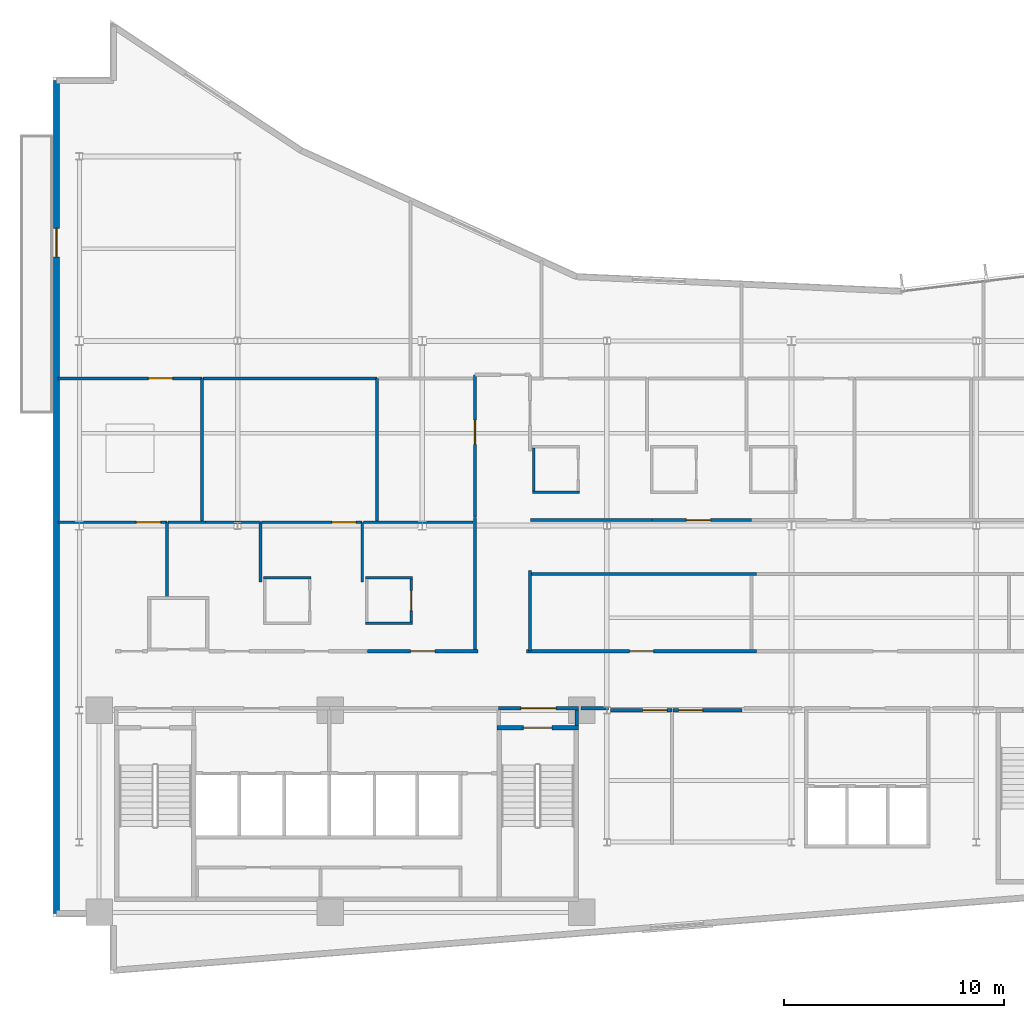
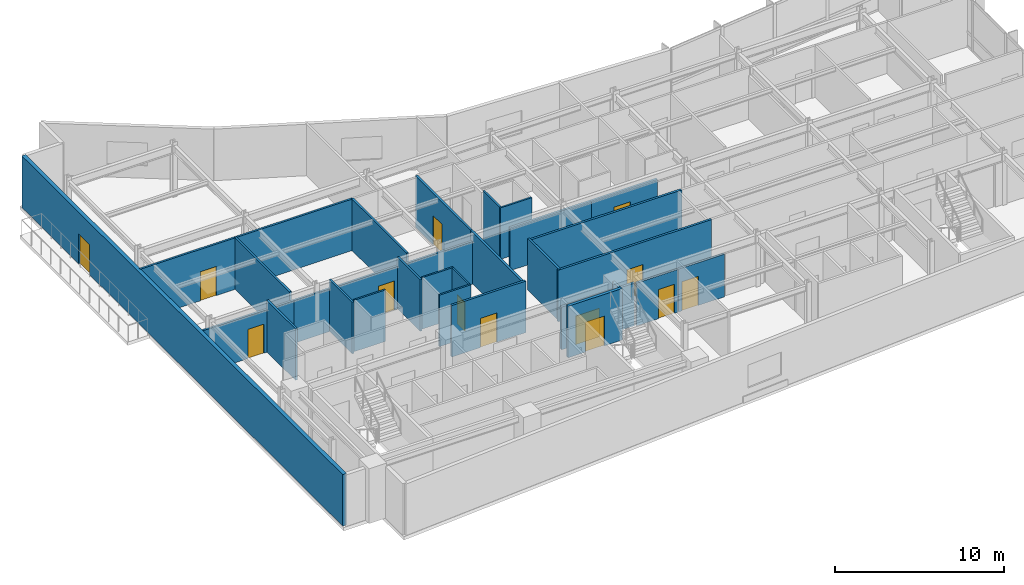
# One storey, part 11 of 19: 33 walls, 13 doors, 13 openings.
"""IFC4 building model written with IfcOpenShell, lengths in metres."""

from ifc_helpers import new_model, si_unit, direction, frame, frame_2d, origin, place, context, subcontext, project, spatial, rectangle, extrude, material, layer, layer_set, type_object, element, fill, save


model = new_model("IFC4")

# Units and contexts
model_context = context("Model", 3, precision=1e-05, world=origin(), true_north=direction((0.0, 1.0)))
body_context = subcontext(model_context, "Body", "Model", "MODEL_VIEW")
ifc_project = project(units=[si_unit("LENGTHUNIT", "METRE"), si_unit("AREAUNIT", "SQUARE_METRE"), si_unit("VOLUMEUNIT", "CUBIC_METRE"), si_unit("PLANEANGLEUNIT", "RADIAN"), si_unit("MASSUNIT", "GRAM", prefix="KILO")], contexts=[model_context])

# Site, building, storey
site_placement = place(None, origin())
site = spatial("IfcSite", under=ifc_project, at=site_placement, CompositionType="ELEMENT")
building_placement = place(site_placement, origin())
building = spatial("IfcBuilding", under=site, at=building_placement, Name="Varnakote Quay Hospital", CompositionType="ELEMENT")
storey_placement = place(building_placement, frame((0.0, 0.0, 162.60009765625)))
storey = spatial("IfcBuildingStorey", under=building, at=storey_placement, Name="L40", CompositionType="ELEMENT", Elevation=162.60009765625)

# Wall, opening, door
ifc_material_1 = material(Name="Fire-rated acoustic gypsum stud wall", Category="gypsum")
ifc_layer_1 = layer(ifc_material_1, 0.159912109375)
ifc_layer_set_1 = layer_set([ifc_layer_1], Name="Fire-rated acoustic gypsum stud wall")
wall_type_1 = type_object("IfcWallType", Name="WL-COMP-160", PredefinedType="PARTITIONING", material=ifc_layer_set_1)
wall_1_placement = place(storey_placement, frame((20.280029296875, 12.080078125, 0.0), z_axis=(0.0, 0.0, 1.0), x_axis=(1.0, 0.0, 0.0)))
wall_1 = element("IfcWall", 1, at=wall_1_placement, inside=storey, type_object=wall_type_1, Name="L40 East Stair Vestibule Smoke Wall", PredefinedType="PARTITIONING", context=body_context, shape_type="SweptSolid", body=[
    extrude(rectangle(XDim=3.619873046875, YDim=0.159912109375, at=frame_2d((1.81005859375, 0.0))), origin(), (0.0, 0.0, 1.0), 3.0830078125),
])
opening_1_placement = place(wall_1_placement, frame((1.010009765625, 0.0, 0.0)))
opening_1 = element("IfcOpeningElement", 2, at=opening_1_placement, cuts=wall_1, Name="Opening D-ST2L-L40", PredefinedType="OPENING", context=body_context, shape_type="SweptSolid", body=[
    extrude(rectangle(XDim=1.60009765625, YDim=2.050048828125, at=frame_2d((0.800048828125, 1.02490234375))), frame((0.0, 0.08984375, 0.0), z_axis=(0.0, -1.0, 0.0), x_axis=(1.0, 0.0, 0.0)), (0.0, 0.0, 1.0), 0.179931640625),
])
ifc_material_2 = material(Name="Fire-rated double smoke lobby door")
door_type_1 = type_object("IfcDoorType", Name="DR-LOBBY-FD60S-1600x2150", OperationType="NOTDEFINED", PredefinedType="DOOR", material=ifc_material_2)
door_1_placement = place(opening_1_placement, origin())
door_1 = element("IfcDoor", 3, at=door_1_placement, inside=storey, type_object=door_type_1, Name="L40 East Stair Vestibule Smoke Door", OperationType="DOUBLE_DOOR_SINGLE_SWING", OverallHeight=2.050048828125, OverallWidth=1.60009765625, PredefinedType="DOOR", context=body_context, shape_type="SweptSolid", body=[
    extrude(rectangle(XDim=1.60009765625, YDim=2.050048828125, at=frame_2d((0.800048828125, 1.02490234375))), frame((0.0, 0.02490234375, 0.0), z_axis=(0.0, -1.0, 0.0), x_axis=(1.0, 0.0, 0.0)), (0.0, 0.0, 1.0), 0.050048828125),
])
fill(opening_1, door_1)

# Walls
wall_2_placement = place(storey_placement, frame((23.820068359375, 11.300048828125, 0.0), z_axis=(0.0, 0.0, 1.0), x_axis=(0.0, 1.0, 0.0)))
element("IfcWall", 4, at=wall_2_placement, inside=storey, type_object=wall_type_1, Name="L40 East Stair Vestibule East Wall", PredefinedType="PARTITIONING", context=body_context, shape_type="SweptSolid", body=[
    extrude(rectangle(XDim=0.699951171875, YDim=0.159912109375, at=frame_2d((0.35009765625, 0.0))), origin(), (0.0, 0.0, 1.0), 3.7099609375),
])
wall_3_placement = place(storey_placement, frame((24.02001953125, 12.080078125, 0.0), z_axis=(0.0, 0.0, 1.0), x_axis=(1.0, 0.0, 0.0)))
element("IfcWall", 5, at=wall_3_placement, inside=storey, type_object=wall_type_1, Name="L40 Corridor South Gap Wall", PredefinedType="PARTITIONING", context=body_context, shape_type="SweptSolid", body=[
    extrude(rectangle(XDim=1.244140625, YDim=0.159912109375, at=frame_2d((0.6220703125, 0.0))), origin(), (0.0, 0.0, 1.0), 3.0830078125),
])
ifc_material_3 = material(Name="Moisture-resistant bathroom partition", Category="gypsum")
ifc_layer_2 = layer(ifc_material_3, 0.114990234375)
ifc_layer_set_2 = layer_set([ifc_layer_2], Name="Moisture-resistant bathroom partition")
wall_type_2 = type_object("IfcWallType", Name="WL-ENS-115", PredefinedType="PARTITIONING", material=ifc_layer_set_2)
wall_4_placement = place(storey_placement, frame((9.5849609375, 18.017578125, 0.0), z_axis=(0.0, 0.0, 1.0), x_axis=(1.0, 0.0, 0.0)))
element("IfcWall", 6, at=wall_4_placement, inside=storey, type_object=wall_type_2, Name="L40 Inpatient En-Suite Bathroom 01 N Wall", PredefinedType="PARTITIONING", context=body_context, shape_type="SweptSolid", body=[
    extrude(rectangle(XDim=2.150146484375, YDim=0.114990234375, at=frame_2d((1.0751953125, 0.0))), origin(), (0.0, 0.0, 1.0), 3.7099609375),
])
for number, where, z_axis, x_axis, name in (
    (7, (14.215087890625, 15.952392578125, 0.0), (0.0, 0.0, 1.0), (1.0, 0.0, 0.0), "L40 Inpatient En-Suite Bathroom 02 S Wall"),
    (8, (14.215087890625, 18.017578125, 0.0), (0.0, 0.0, 1.0), (1.0, 0.0, 0.0), "L40 Inpatient En-Suite Bathroom 02 N Wall"),
):
    element("IfcWall", number, at=place(storey_placement, frame(where, z_axis=z_axis, x_axis=x_axis)), inside=storey, type_object=wall_type_2, Name=name, PredefinedType="PARTITIONING", context=body_context, shape_type="SweptSolid", body=[
        extrude(rectangle(XDim=2.14990234375, YDim=0.114990234375, at=frame_2d((1.074951171875, 0.0))), origin(), (0.0, 0.0, 1.0), 3.7099609375),
    ])

# Wall, opening, door
wall_5_placement = place(storey_placement, frame((16.3076171875, 16.010009765625, 0.0), z_axis=(0.0, 0.0, 1.0), x_axis=(0.0, 1.0, 0.0)))
wall_5 = element("IfcWall", 9, at=wall_5_placement, inside=storey, type_object=wall_type_2, Name="L40 Inpatient En-Suite Bathroom 02 E Wall", PredefinedType="PARTITIONING", context=body_context, shape_type="SweptSolid", body=[
    extrude(rectangle(XDim=1.949951171875, YDim=0.114990234375, at=frame_2d((0.97509765625, 0.0))), origin(), (0.0, 0.0, 1.0), 3.7099609375),
])
opening_2_placement = place(wall_5_placement, frame((0.514892578125, 0.0, 0.0)))
opening_2 = element("IfcOpeningElement", 10, at=opening_2_placement, cuts=wall_5, Name="Opening D-L40-ENS02", PredefinedType="OPENING", context=body_context, shape_type="SweptSolid", body=[
    extrude(rectangle(XDim=0.919921875, YDim=2.10009765625, at=frame_2d((0.4599609375, 1.050048828125))), frame((0.0, 0.0673828125, 0.0), z_axis=(0.0, -1.0, 0.0), x_axis=(1.0, 0.0, 0.0)), (0.0, 0.0, 1.0), 0.135009765625),
])
ifc_material_4 = material(Name="Moisture-sealed en-suite bathroom door")
door_type_2 = type_object("IfcDoorType", Name="DR-ENS-920x2100", OperationType="NOTDEFINED", PredefinedType="DOOR", material=ifc_material_4)
door_2_placement = place(opening_2_placement, origin())
door_2 = element("IfcDoor", 11, at=door_2_placement, inside=storey, type_object=door_type_2, Name="L40 Inpatient En-Suite Bathroom 02 Door", OperationType="SINGLE_SWING_RIGHT", OverallHeight=2.10009765625, OverallWidth=0.919921875, PredefinedType="DOOR", context=body_context, shape_type="SweptSolid", body=[
    extrude(rectangle(XDim=0.919921875, YDim=2.10009765625, at=frame_2d((0.4599609375, 1.050048828125))), frame((0.0, 0.02490234375, 0.0), z_axis=(0.0, -1.0, 0.0), x_axis=(1.0, 0.0, 0.0)), (0.0, 0.0, 1.0), 0.050048828125),
])
fill(opening_2, door_2)

# Walls
wall_6_placement = place(storey_placement, frame((21.804931640625, 21.922607421875, 0.0), z_axis=(0.0, 0.0, 1.0), x_axis=(1.0, 0.0, 0.0)))
element("IfcWall", 12, at=wall_6_placement, inside=storey, type_object=wall_type_2, Name="L40 Inpatient En-Suite Bathroom 03 S Wall", PredefinedType="PARTITIONING", context=body_context, shape_type="SweptSolid", body=[
    extrude(rectangle(XDim=2.150146484375, YDim=0.114990234375, at=frame_2d((1.0751953125, 0.0))), origin(), (0.0, 0.0, 1.0), 3.7099609375),
])
wall_7_placement = place(storey_placement, frame((21.862548828125, 21.97998046875, 0.0), z_axis=(0.0, 0.0, 1.0), x_axis=(0.0, 1.0, 0.0)))
element("IfcWall", 13, at=wall_7_placement, inside=storey, type_object=wall_type_2, Name="L40 Inpatient En-Suite Bathroom 03 W Wall", PredefinedType="PARTITIONING", context=body_context, shape_type="SweptSolid", body=[
    extrude(rectangle(XDim=1.949951171875, YDim=0.114990234375, at=frame_2d((0.97509765625, 0.0))), origin(), (0.0, 0.0, 1.0), 3.7099609375),
])

# Wall, opening, door
ifc_material_5 = material(Name="Precast concrete N50 (f'c 50 MPa)", Category="concrete")
ifc_layer_3 = layer(ifc_material_5, 0.260009765625)
ifc_layer_set_3 = layer_set([ifc_layer_3], Name="Precast concrete N50 (f'c 50 MPa)")
wall_type_3 = type_object("IfcWallType", Name="WL-EXT-BRICK-260", PredefinedType="STANDARD", material=ifc_layer_set_3)
wall_8_placement = place(storey_placement, frame((0.159912109375, 40.639892578125, 0.0), z_axis=(0.0, 0.0, 1.0), x_axis=(0.0, -1.0, 0.0)))
wall_8 = element("IfcWall", 14, at=wall_8_placement, inside=storey, type_object=wall_type_3, Name="L40 Healing Terrace Portal Brick Wall", PredefinedType="STANDARD", context=body_context, shape_type="SweptSolid", body=[
    extrude(rectangle(XDim=37.8798828125, YDim=0.260009765625, at=frame_2d((18.93994140625, 0.0))), origin(), (0.0, 0.0, 1.0), 3.7099609375),
])
opening_3_placement = place(wall_8_placement, frame((6.715576171875, 0.0, 0.0)))
opening_3 = element("IfcOpeningElement", 15, at=opening_3_placement, cuts=wall_8, Name="Opening DT-L40", PredefinedType="OPENING", context=body_context, shape_type="SweptSolid", body=[
    extrude(rectangle(XDim=1.300048828125, YDim=2.14990234375, at=frame_2d((0.64990234375, 1.074951171875))), frame((0.0, 0.139892578125, 0.0), z_axis=(0.0, -1.0, 0.0), x_axis=(1.0, 0.0, 0.0)), (0.0, 0.0, 1.0), 0.280029296875),
])
ifc_material_6 = material(Name="Anodised aluminium glazed terrace door", Category="aluminium")
door_type_3 = type_object("IfcDoorType", Name="DR-EXT-TERR-1300x2150", OperationType="NOTDEFINED", PredefinedType="DOOR", material=ifc_material_6)
door_3_placement = place(opening_3_placement, origin())
door_3 = element("IfcDoor", 16, at=door_3_placement, inside=storey, type_object=door_type_3, Name="L40 Waterfront Healing Terrace Door", OperationType="SINGLE_SWING_LEFT", OverallHeight=2.14990234375, OverallWidth=1.300048828125, PredefinedType="DOOR", context=body_context, shape_type="SweptSolid", body=[
    extrude(rectangle(XDim=1.300048828125, YDim=2.14990234375, at=frame_2d((0.64990234375, 1.074951171875))), frame((0.0, 0.02490234375, 0.0), z_axis=(0.0, -1.0, 0.0), x_axis=(1.0, 0.0, 0.0)), (0.0, 0.0, 1.0), 0.050048828125),
])
fill(opening_3, door_3)

ifc_material_7 = material(Name="Concrete N50 (f'c 50 MPa)", Category="concrete")
ifc_layer_4 = layer(ifc_material_7, 0.199951171875)
ifc_layer_set_4 = layer_set([ifc_layer_4], Name="Concrete N50 (f'c 50 MPa)")
wall_type_4 = type_object("IfcWallType", Name="WL-SHAFT-N50-200", PredefinedType="SHEAR", material=ifc_layer_set_4)
wall_9_placement = place(storey_placement, frame((20.199951171875, 11.199951171875, 0.0), z_axis=(0.0, 0.0, 1.0), x_axis=(1.0, 0.0, 0.0)))
wall_9 = element("IfcWall", 17, at=wall_9_placement, inside=storey, type_object=wall_type_4, Name="L40 Stair ST2 Exit Wall", PredefinedType="SHEAR", context=body_context, shape_type="SweptSolid", body=[
    extrude(rectangle(XDim=3.699951171875, YDim=0.199951171875, at=frame_2d((1.85009765625, 0.0))), origin(), (0.0, 0.0, 1.0), 3.7099609375),
])
opening_4_placement = place(wall_9_placement, frame((1.199951171875, 0.0, 0.0)))
opening_4 = element("IfcOpeningElement", 18, at=opening_4_placement, cuts=wall_9, Name="Opening D-ST2-L40", PredefinedType="OPENING", context=body_context, shape_type="SweptSolid", body=[
    extrude(rectangle(XDim=1.300048828125, YDim=2.14990234375, at=frame_2d((0.64990234375, 1.074951171875))), frame((0.0, 0.10986328125, 0.0), z_axis=(0.0, -1.0, 0.0), x_axis=(1.0, 0.0, 0.0)), (0.0, 0.0, 1.0), 0.219970703125),
])
ifc_material_8 = material(Name="Fire-rated ceramic-glazed timber exit door", Category="wood")
door_type_4 = type_object("IfcDoorType", Name="DR-STAIR-FD60S-1300x2150", OperationType="NOTDEFINED", PredefinedType="DOOR", material=ifc_material_8)
door_4_placement = place(opening_4_placement, origin())
door_4 = element("IfcDoor", 19, at=door_4_placement, inside=storey, type_object=door_type_4, Name="L40 Stair ST2 Fire Exit Door", OperationType="SINGLE_SWING_LEFT", OverallHeight=2.14990234375, OverallWidth=1.300048828125, PredefinedType="DOOR", context=body_context, shape_type="SweptSolid", body=[
    extrude(rectangle(XDim=1.300048828125, YDim=2.14990234375, at=frame_2d((0.64990234375, 1.074951171875))), frame((0.0, 0.02490234375, 0.0), z_axis=(0.0, -1.0, 0.0), x_axis=(1.0, 0.0, 0.0)), (0.0, 0.0, 1.0), 0.050048828125),
])
fill(opening_4, door_4)

# Wall
ifc_material_9 = material(Name="Smoke-proof clinical partition", Category="gypsum")
ifc_layer_5 = layer(ifc_material_9, 0.135009765625)
ifc_layer_set_5 = layer_set([ifc_layer_5], Name="Smoke-proof clinical partition")
wall_type_5 = type_object("IfcWallType", Name="WL-SMOKE-135", PredefinedType="PARTITIONING", material=ifc_layer_set_5)
wall_10_placement = place(storey_placement, frame((5.179931640625, 17.139892578125, 0.0), z_axis=(0.0, 0.0, 1.0), x_axis=(0.0, 1.0, 0.0)))
element("IfcWall", 20, at=wall_10_placement, inside=storey, type_object=wall_type_5, Name="L40 Clinical Interior Partition", PredefinedType="PARTITIONING", context=body_context, shape_type="SweptSolid", body=[
    extrude(rectangle(XDim=3.41015625, YDim=0.135009765625, at=frame_2d((1.705078125, 0.0))), origin(), (0.0, 0.0, 1.0), 3.7099609375),
])

# Wall, opening, door
wall_11_placement = place(storey_placement, frame((5.179931640625, 20.550048828125, 0.0), z_axis=(0.0, 0.0, 1.0), x_axis=(-1.0, 0.0, 0.0)))
wall_11 = element("IfcWall", 21, at=wall_11_placement, inside=storey, type_object=wall_type_5, Name="L40 Clinical Interior Partition", PredefinedType="PARTITIONING", context=body_context, shape_type="SweptSolid", body=[
    extrude(rectangle(XDim=4.93994140625, YDim=0.135009765625, at=frame_2d((2.469970703125, 0.0))), origin(), (0.0, 0.0, 1.0), 3.0830078125),
])
opening_5_placement = place(wall_11_placement, frame((0.285888671875, 0.0, 0.0)))
opening_5 = element("IfcOpeningElement", 22, at=opening_5_placement, cuts=wall_11, Name="Opening D-L40-DLNG", PredefinedType="OPENING", context=body_context, shape_type="SweptSolid", body=[
    extrude(rectangle(XDim=1.10009765625, YDim=2.10009765625, at=frame_2d((0.550048828125, 1.050048828125))), frame((0.0, 0.077392578125, 0.0), z_axis=(0.0, -1.0, 0.0), x_axis=(1.0, 0.0, 0.0)), (0.0, 0.0, 1.0), 0.155029296875),
])
ifc_material_10 = material(Name="Acoustic timber clinical consult door", Category="wood")
door_type_5 = type_object("IfcDoorType", Name="DR-CLIN-FD30S-1100x2100", OperationType="NOTDEFINED", PredefinedType="DOOR", material=ifc_material_10)
door_5_placement = place(opening_5_placement, origin())
door_5 = element("IfcDoor", 23, at=door_5_placement, inside=storey, type_object=door_type_5, Name="L40 Waterfront Patient & Family Dayroom Door", OperationType="SINGLE_SWING_RIGHT", OverallHeight=2.10009765625, OverallWidth=1.10009765625, PredefinedType="DOOR", context=body_context, shape_type="SweptSolid", body=[
    extrude(rectangle(XDim=1.10009765625, YDim=2.10009765625, at=frame_2d((0.550048828125, 1.050048828125))), frame((0.0, 0.02490234375, 0.0), z_axis=(0.0, -1.0, 0.0), x_axis=(1.0, 0.0, 0.0)), (0.0, 0.0, 1.0), 0.050048828125),
])
fill(opening_5, door_5)

# Walls
wall_12_placement = place(storey_placement, frame((9.43994140625, 17.83251953125, 0.0), z_axis=(0.0, 0.0, 1.0), x_axis=(0.0, 1.0, 0.0)))
element("IfcWall", 24, at=wall_12_placement, inside=storey, type_object=wall_type_5, Name="L40 Clinical Interior Partition", PredefinedType="PARTITIONING", context=body_context, shape_type="SweptSolid", body=[
    extrude(rectangle(XDim=2.717529296875, YDim=0.135009765625, at=frame_2d((1.35888671875, 0.0))), origin(), (0.0, 0.0, 1.0), 3.7099609375),
])
wall_13_placement = place(storey_placement, frame((6.92822265625, 20.550048828125, 0.0), z_axis=(0.0, 0.0, 1.0), x_axis=(-1.0, 0.0, 0.0)))
element("IfcWall", 25, at=wall_13_placement, inside=storey, type_object=wall_type_5, Name="L40 Clinical Interior Partition", PredefinedType="PARTITIONING", context=body_context, shape_type="SweptSolid", body=[
    extrude(rectangle(XDim=1.690673828125, YDim=0.135009765625, at=frame_2d((0.84521484375, 0.0))), origin(), (0.0, 0.0, 1.0), 3.0830078125),
])
wall_14_placement = place(storey_placement, frame((9.43994140625, 20.550048828125, 0.0), z_axis=(0.0, 0.0, 1.0), x_axis=(-1.0, 0.0, 0.0)))
element("IfcWall", 26, at=wall_14_placement, inside=storey, type_object=wall_type_5, Name="L40 Clinical Interior Partition", PredefinedType="PARTITIONING", context=body_context, shape_type="SweptSolid", body=[
    extrude(rectangle(XDim=2.509521484375, YDim=0.135009765625, at=frame_2d((1.2548828125, 0.0))), origin(), (0.0, 0.0, 1.0), 3.0830078125),
])
wall_15_placement = place(storey_placement, frame((14.070068359375, 17.83251953125, 0.0), z_axis=(0.0, 0.0, 1.0), x_axis=(0.0, 1.0, 0.0)))
element("IfcWall", 27, at=wall_15_placement, inside=storey, type_object=wall_type_5, Name="L40 Clinical Interior Partition", PredefinedType="PARTITIONING", context=body_context, shape_type="SweptSolid", body=[
    extrude(rectangle(XDim=2.717529296875, YDim=0.135009765625, at=frame_2d((1.35888671875, 0.0))), origin(), (0.0, 0.0, 1.0), 3.7099609375),
])

# Wall, opening, door
wall_16_placement = place(storey_placement, frame((14.070068359375, 20.550048828125, 0.0), z_axis=(0.0, 0.0, 1.0), x_axis=(-1.0, 0.0, 0.0)))
wall_16 = element("IfcWall", 28, at=wall_16_placement, inside=storey, type_object=wall_type_5, Name="L40 Clinical Interior Partition", PredefinedType="PARTITIONING", context=body_context, shape_type="SweptSolid", body=[
    extrude(rectangle(XDim=4.572509765625, YDim=0.135009765625, at=frame_2d((2.2861328125, 0.0))), origin(), (0.0, 0.0, 1.0), 3.0830078125),
])
opening_6_placement = place(wall_16_placement, frame((0.27685546875, 0.0, 0.0)))
opening_6 = element("IfcOpeningElement", 29, at=opening_6_placement, cuts=wall_16, Name="Opening D-L40-MD07", PredefinedType="OPENING", context=body_context, shape_type="SweptSolid", body=[
    extrude(rectangle(XDim=1.10009765625, YDim=2.10009765625, at=frame_2d((0.550048828125, 1.050048828125))), frame((0.0, 0.077392578125, 0.0), z_axis=(0.0, -1.0, 0.0), x_axis=(1.0, 0.0, 0.0)), (0.0, 0.0, 1.0), 0.155029296875),
])
door_6_placement = place(opening_6_placement, origin())
door_6 = element("IfcDoor", 30, at=door_6_placement, inside=storey, type_object=door_type_5, Name="L40 Specialist Handover Meeting Room Door", OperationType="SINGLE_SWING_LEFT", OverallHeight=2.10009765625, OverallWidth=1.10009765625, PredefinedType="DOOR", context=body_context, shape_type="SweptSolid", body=[
    extrude(rectangle(XDim=1.10009765625, YDim=2.10009765625, at=frame_2d((0.550048828125, 1.050048828125))), frame((0.0, 0.02490234375, 0.0), z_axis=(0.0, -1.0, 0.0), x_axis=(1.0, 0.0, 0.0)), (0.0, 0.0, 1.0), 0.050048828125),
])
fill(opening_6, door_6)

# Walls
wall_17_placement = place(storey_placement, frame((19.1201171875, 20.550048828125, 0.0), z_axis=(0.0, 0.0, 1.0), x_axis=(-1.0, 0.0, 0.0)))
element("IfcWall", 31, at=wall_17_placement, inside=storey, type_object=wall_type_5, Name="L40 Clinical Interior Partition", PredefinedType="PARTITIONING", context=body_context, shape_type="SweptSolid", body=[
    extrude(rectangle(XDim=4.99267578125, YDim=0.135009765625, at=frame_2d((2.496337890625, 0.0))), origin(), (0.0, 0.0, 1.0), 3.0830078125),
])
wall_18_placement = place(storey_placement, frame((6.77001953125, 20.607421875, 0.0), z_axis=(0.0, 0.0, 1.0), x_axis=(0.0, 1.0, 0.0)))
element("IfcWall", 32, at=wall_18_placement, inside=storey, type_object=wall_type_5, Name="L40 Clinical Interior Partition", PredefinedType="PARTITIONING", context=body_context, shape_type="SweptSolid", body=[
    extrude(rectangle(XDim=6.49267578125, YDim=0.135009765625, at=frame_2d((3.246337890625, 0.0))), origin(), (0.0, 0.0, 1.0), 3.7099609375),
])

# Wall, opening, door
wall_19_placement = place(storey_placement, frame((6.77001953125, 27.10009765625, 0.0), z_axis=(0.0, 0.0, 1.0), x_axis=(-1.0, 0.0, 0.0)))
wall_19 = element("IfcWall", 33, at=wall_19_placement, inside=storey, type_object=wall_type_5, Name="L40 Clinical Interior Partition", PredefinedType="PARTITIONING", context=body_context, shape_type="SweptSolid", body=[
    extrude(rectangle(XDim=6.530029296875, YDim=0.135009765625, at=frame_2d((3.26513671875, 0.0))), origin(), (0.0, 0.0, 1.0), 3.7099609375),
])
opening_7_placement = place(wall_19_placement, frame((1.331787109375, 0.0, 0.0)))
opening_7 = element("IfcOpeningElement", 34, at=opening_7_placement, cuts=wall_19, Name="Opening D-L40-MD13", PredefinedType="OPENING", context=body_context, shape_type="SweptSolid", body=[
    extrude(rectangle(XDim=1.10009765625, YDim=2.10009765625, at=frame_2d((0.550048828125, 1.050048828125))), frame((0.0, 0.077392578125, 0.0), z_axis=(0.0, -1.0, 0.0), x_axis=(1.0, 0.0, 0.0)), (0.0, 0.0, 1.0), 0.155029296875),
])
door_7_placement = place(opening_7_placement, origin())
door_7 = element("IfcDoor", 35, at=door_7_placement, inside=storey, type_object=door_type_5, Name="L40 Clinical Simulation Teaching Room Door", OperationType="SINGLE_SWING_RIGHT", OverallHeight=2.10009765625, OverallWidth=1.10009765625, PredefinedType="DOOR", context=body_context, shape_type="SweptSolid", body=[
    extrude(rectangle(XDim=1.10009765625, YDim=2.10009765625, at=frame_2d((0.550048828125, 1.050048828125))), frame((0.0, 0.02490234375, 0.0), z_axis=(0.0, -1.0, 0.0), x_axis=(1.0, 0.0, 0.0)), (0.0, 0.0, 1.0), 0.050048828125),
])
fill(opening_7, door_7)

# Walls
wall_20_placement = place(storey_placement, frame((14.75, 20.607421875, 0.0), z_axis=(0.0, 0.0, 1.0), x_axis=(0.0, 1.0, 0.0)))
element("IfcWall", 36, at=wall_20_placement, inside=storey, type_object=wall_type_5, Name="L40 Clinical Interior Partition", PredefinedType="PARTITIONING", context=body_context, shape_type="SweptSolid", body=[
    extrude(rectangle(XDim=6.49267578125, YDim=0.135009765625, at=frame_2d((3.246337890625, 0.0))), origin(), (0.0, 0.0, 1.0), 3.7099609375),
])
wall_21_placement = place(storey_placement, frame((14.75, 27.10009765625, 0.0), z_axis=(0.0, 0.0, 1.0), x_axis=(-1.0, 0.0, 0.0)))
element("IfcWall", 37, at=wall_21_placement, inside=storey, type_object=wall_type_5, Name="L40 Clinical Interior Partition", PredefinedType="PARTITIONING", context=body_context, shape_type="SweptSolid", body=[
    extrude(rectangle(XDim=7.922607421875, YDim=0.135009765625, at=frame_2d((3.96142578125, 0.0))), origin(), (0.0, 0.0, 1.0), 3.7099609375),
])

# Wall, opening, door
ifc_material_11 = material(Name="Fire-rated clinical gypsum partition", Category="gypsum")
ifc_layer_6 = layer(ifc_material_11, 0.14990234375)
ifc_layer_set_6 = layer_set([ifc_layer_6], Name="Fire-rated clinical gypsum partition")
wall_type_6 = type_object("IfcWallType", Name="WL-WARD-150", PredefinedType="PARTITIONING", material=ifc_layer_set_6)
wall_22_placement = place(storey_placement, frame((28.159912109375, 12.0, 0.0), z_axis=(0.0, 0.0, 1.0), x_axis=(-1.0, 0.0, 0.0)))
wall_22 = element("IfcWall", 38, at=wall_22_placement, inside=storey, type_object=wall_type_6, Name="L40 Clinical Interior Partition", PredefinedType="PARTITIONING", context=body_context, shape_type="SweptSolid", body=[
    extrude(rectangle(XDim=2.806396484375, YDim=0.14990234375, at=frame_2d((1.4033203125, 0.0))), origin(), (0.0, 0.0, 1.0), 3.0830078125),
])
opening_8_placement = place(wall_22_placement, frame((0.232666015625, 0.0, 0.0)))
opening_8 = element("IfcOpeningElement", 39, at=opening_8_placement, cuts=wall_22, Name="Opening D-L40-RL1", PredefinedType="OPENING", context=body_context, shape_type="SweptSolid", body=[
    extrude(rectangle(XDim=1.10009765625, YDim=2.10009765625, at=frame_2d((0.550048828125, 1.050048828125))), frame((0.0, 0.0849609375, 0.0), z_axis=(0.0, -1.0, 0.0), x_axis=(1.0, 0.0, 0.0)), (0.0, 0.0, 1.0), 0.169921875),
])
door_8_placement = place(opening_8_placement, origin())
door_8 = element("IfcDoor", 40, at=door_8_placement, inside=storey, type_object=door_type_5, Name="L40 Day Infusion Treatment Suite Door", OperationType="SINGLE_SWING_RIGHT", OverallHeight=2.10009765625, OverallWidth=1.10009765625, PredefinedType="DOOR", context=body_context, shape_type="SweptSolid", body=[
    extrude(rectangle(XDim=1.10009765625, YDim=2.10009765625, at=frame_2d((0.550048828125, 1.050048828125))), frame((0.0, 0.02490234375, 0.0), z_axis=(0.0, -1.0, 0.0), x_axis=(1.0, 0.0, 0.0)), (0.0, 0.0, 1.0), 0.050048828125),
])
fill(opening_8, door_8)

wall_23_placement = place(storey_placement, frame((31.35009765625, 12.0, 0.0), z_axis=(0.0, 0.0, 1.0), x_axis=(-1.0, 0.0, 0.0)))
wall_23 = element("IfcWall", 41, at=wall_23_placement, inside=storey, type_object=wall_type_6, Name="L40 Clinical Interior Partition", PredefinedType="PARTITIONING", context=body_context, shape_type="SweptSolid", body=[
    extrude(rectangle(XDim=3.132568359375, YDim=0.14990234375, at=frame_2d((1.56640625, 0.0))), origin(), (0.0, 0.0, 1.0), 3.0830078125),
])
opening_9_placement = place(wall_23_placement, frame((1.791748046875, 0.0, 0.0)))
opening_9 = element("IfcOpeningElement", 42, at=opening_9_placement, cuts=wall_23, Name="Opening D-L40-RL2", PredefinedType="OPENING", context=body_context, shape_type="SweptSolid", body=[
    extrude(rectangle(XDim=1.10009765625, YDim=2.10009765625, at=frame_2d((0.550048828125, 1.050048828125))), frame((0.0, 0.0849609375, 0.0), z_axis=(0.0, -1.0, 0.0), x_axis=(1.0, 0.0, 0.0)), (0.0, 0.0, 1.0), 0.169921875),
])
door_9_placement = place(opening_9_placement, origin())
door_9 = element("IfcDoor", 43, at=door_9_placement, inside=storey, type_object=door_type_5, Name="L40 Telemedicine Consult Office Door", OperationType="SINGLE_SWING_LEFT", OverallHeight=2.10009765625, OverallWidth=1.10009765625, PredefinedType="DOOR", context=body_context, shape_type="SweptSolid", body=[
    extrude(rectangle(XDim=1.10009765625, YDim=2.10009765625, at=frame_2d((0.550048828125, 1.050048828125))), frame((0.0, 0.02490234375, 0.0), z_axis=(0.0, -1.0, 0.0), x_axis=(1.0, 0.0, 0.0)), (0.0, 0.0, 1.0), 0.050048828125),
])
fill(opening_9, door_9)

wall_24_placement = place(storey_placement, frame((19.345947265625, 14.679931640625, 0.0), z_axis=(0.0, 0.0, 1.0), x_axis=(-1.0, 0.0, 0.0)))
wall_24 = element("IfcWall", 44, at=wall_24_placement, inside=storey, type_object=wall_type_6, Name="L40 Clinical Interior Partition", PredefinedType="PARTITIONING", context=body_context, shape_type="SweptSolid", body=[
    extrude(rectangle(XDim=5.0478515625, YDim=0.14990234375, at=frame_2d((2.52392578125, 0.0))), origin(), (0.0, 0.0, 1.0), 3.7099609375),
])
opening_10_placement = place(wall_24_placement, frame((1.97412109375, 0.0, 0.0)))
opening_10 = element("IfcOpeningElement", 45, at=opening_10_placement, cuts=wall_24, Name="Opening D-L40-BR02", PredefinedType="OPENING", context=body_context, shape_type="SweptSolid", body=[
    extrude(rectangle(XDim=1.10009765625, YDim=2.10009765625, at=frame_2d((0.550048828125, 1.050048828125))), frame((0.0, 0.0849609375, 0.0), z_axis=(0.0, -1.0, 0.0), x_axis=(1.0, 0.0, 0.0)), (0.0, 0.0, 1.0), 0.169921875),
])
door_10_placement = place(opening_10_placement, origin())
door_10 = element("IfcDoor", 46, at=door_10_placement, inside=storey, type_object=door_type_5, Name="L40 Inpatient Clinical Treatment Room 02 Door", OperationType="SINGLE_SWING_RIGHT", OverallHeight=2.10009765625, OverallWidth=1.10009765625, PredefinedType="DOOR", context=body_context, shape_type="SweptSolid", body=[
    extrude(rectangle(XDim=1.10009765625, YDim=2.10009765625, at=frame_2d((0.550048828125, 1.050048828125))), frame((0.0, 0.02490234375, 0.0), z_axis=(0.0, -1.0, 0.0), x_axis=(1.0, 0.0, 0.0)), (0.0, 0.0, 1.0), 0.050048828125),
])
fill(opening_10, door_10)

wall_25_placement = place(storey_placement, frame((32.006103515625, 14.679931640625, 0.0), z_axis=(0.0, 0.0, 1.0), x_axis=(-1.0, 0.0, 0.0)))
wall_25 = element("IfcWall", 47, at=wall_25_placement, inside=storey, type_object=wall_type_6, Name="L40 Clinical Interior Partition", PredefinedType="PARTITIONING", context=body_context, shape_type="SweptSolid", body=[
    extrude(rectangle(XDim=10.4521484375, YDim=0.14990234375, at=frame_2d((5.22607421875, 0.0))), origin(), (0.0, 0.0, 1.0), 3.7099609375),
])
opening_11_placement = place(wall_25_placement, frame((4.676025390625, 0.0, 0.0)))
opening_11 = element("IfcOpeningElement", 48, at=opening_11_placement, cuts=wall_25, Name="Opening D-L40-MD03", PredefinedType="OPENING", context=body_context, shape_type="SweptSolid", body=[
    extrude(rectangle(XDim=1.10009765625, YDim=2.10009765625, at=frame_2d((0.550048828125, 1.050048828125))), frame((0.0, 0.0849609375, 0.0), z_axis=(0.0, -1.0, 0.0), x_axis=(1.0, 0.0, 0.0)), (0.0, 0.0, 1.0), 0.169921875),
])
door_11_placement = place(opening_11_placement, origin())
door_11 = element("IfcDoor", 49, at=door_11_placement, inside=storey, type_object=door_type_5, Name="L40 Specialist Handover Meeting Room Door", OperationType="SINGLE_SWING_LEFT", OverallHeight=2.10009765625, OverallWidth=1.10009765625, PredefinedType="DOOR", context=body_context, shape_type="SweptSolid", body=[
    extrude(rectangle(XDim=1.10009765625, YDim=2.10009765625, at=frame_2d((0.550048828125, 1.050048828125))), frame((0.0, 0.02490234375, 0.0), z_axis=(0.0, -1.0, 0.0), x_axis=(1.0, 0.0, 0.0)), (0.0, 0.0, 1.0), 0.050048828125),
])
fill(opening_11, door_11)

# Walls
wall_26_placement = place(storey_placement, frame((19.199951171875, 20.77587890625, 0.0), z_axis=(0.0, 0.0, 1.0), x_axis=(0.0, -1.0, 0.0)))
element("IfcWall", 50, at=wall_26_placement, inside=storey, type_object=wall_type_6, Name="L40 Clinical Interior Partition", PredefinedType="PARTITIONING", context=body_context, shape_type="SweptSolid", body=[
    extrude(rectangle(XDim=6.075927734375, YDim=0.14990234375, at=frame_2d((3.0380859375, 0.0))), origin(), (0.0, 0.0, 1.0), 3.7099609375),
])
wall_27_placement = place(storey_placement, frame((21.699951171875, 14.699951171875, 0.0), z_axis=(0.0, 0.0, 1.0), x_axis=(0.0, 1.0, 0.0)))
element("IfcWall", 51, at=wall_27_placement, inside=storey, type_object=wall_type_6, Name="L40 Clinical Interior Partition", PredefinedType="PARTITIONING", context=body_context, shape_type="SweptSolid", body=[
    extrude(rectangle(XDim=3.64599609375, YDim=0.14990234375, at=frame_2d((1.822998046875, 0.0))), origin(), (0.0, 0.0, 1.0), 3.7099609375),
])

# Wall, opening, door
wall_28_placement = place(storey_placement, frame((19.199951171875, 27.260009765625, 0.0), z_axis=(0.0, 0.0, 1.0), x_axis=(0.0, -1.0, 0.0)))
wall_28 = element("IfcWall", 52, at=wall_28_placement, inside=storey, type_object=wall_type_6, Name="L40 Clinical Interior Partition", PredefinedType="PARTITIONING", context=body_context, shape_type="SweptSolid", body=[
    extrude(rectangle(XDim=6.48193359375, YDim=0.14990234375, at=frame_2d((3.240966796875, 0.0))), origin(), (0.0, 0.0, 1.0), 3.7099609375),
])
opening_12_placement = place(wall_28_placement, frame((2.068359375, 0.0, 0.0)))
opening_12 = element("IfcOpeningElement", 53, at=opening_12_placement, cuts=wall_28, Name="Opening D-L40-MD08", PredefinedType="OPENING", context=body_context, shape_type="SweptSolid", body=[
    extrude(rectangle(XDim=1.10009765625, YDim=2.10009765625, at=frame_2d((0.550048828125, 1.050048828125))), frame((0.0, 0.0849609375, 0.0), z_axis=(0.0, -1.0, 0.0), x_axis=(1.0, 0.0, 0.0)), (0.0, 0.0, 1.0), 0.169921875),
])
door_12_placement = place(opening_12_placement, origin())
door_12 = element("IfcDoor", 54, at=door_12_placement, inside=storey, type_object=door_type_5, Name="L40 Clinical Educator Office Door", OperationType="SINGLE_SWING_LEFT", OverallHeight=2.10009765625, OverallWidth=1.10009765625, PredefinedType="DOOR", context=body_context, shape_type="SweptSolid", body=[
    extrude(rectangle(XDim=1.10009765625, YDim=2.10009765625, at=frame_2d((0.550048828125, 1.050048828125))), frame((0.0, 0.02490234375, 0.0), z_axis=(0.0, -1.0, 0.0), x_axis=(1.0, 0.0, 0.0)), (0.0, 0.0, 1.0), 0.050048828125),
])
fill(opening_12, door_12)

# Walls
wall_29_placement = place(storey_placement, frame((21.719970703125, 18.199951171875, 0.0), z_axis=(0.0, 0.0, 1.0), x_axis=(1.0, 0.0, 0.0)))
element("IfcWall", 55, at=wall_29_placement, inside=storey, type_object=wall_type_6, Name="L40 Clinical Interior Partition", PredefinedType="PARTITIONING", context=body_context, shape_type="SweptSolid", body=[
    extrude(rectangle(XDim=10.2861328125, YDim=0.14990234375, at=frame_2d((5.14306640625, 0.0))), origin(), (0.0, 0.0, 1.0), 3.7099609375),
])
wall_30_placement = place(storey_placement, frame((27.256103515625, 20.64990234375, 0.0), z_axis=(0.0, 0.0, 1.0), x_axis=(-1.0, 0.0, 0.0)))
element("IfcWall", 56, at=wall_30_placement, inside=storey, type_object=wall_type_6, Name="L40 Clinical Interior Partition", PredefinedType="PARTITIONING", context=body_context, shape_type="SweptSolid", body=[
    extrude(rectangle(XDim=5.5361328125, YDim=0.14990234375, at=frame_2d((2.76806640625, 0.0))), origin(), (0.0, 0.0, 1.0), 3.0830078125),
])

# Wall, opening, door
wall_31_placement = place(storey_placement, frame((31.77587890625, 20.64990234375, 0.0), z_axis=(0.0, 0.0, 1.0), x_axis=(-1.0, 0.0, 0.0)))
wall_31 = element("IfcWall", 57, at=wall_31_placement, inside=storey, type_object=wall_type_6, Name="L40 Clinical Interior Partition", PredefinedType="PARTITIONING", context=body_context, shape_type="SweptSolid", body=[
    extrude(rectangle(XDim=4.517822265625, YDim=0.14990234375, at=frame_2d((2.2587890625, 0.0))), origin(), (0.0, 0.0, 1.0), 3.0830078125),
])
opening_13_placement = place(wall_31_placement, frame((1.85986328125, 0.0, 0.0)))
opening_13 = element("IfcOpeningElement", 58, at=opening_13_placement, cuts=wall_31, Name="Opening D-L40-BR04", PredefinedType="OPENING", context=body_context, shape_type="SweptSolid", body=[
    extrude(rectangle(XDim=1.10009765625, YDim=2.10009765625, at=frame_2d((0.550048828125, 1.050048828125))), frame((0.0, 0.0849609375, 0.0), z_axis=(0.0, -1.0, 0.0), x_axis=(1.0, 0.0, 0.0)), (0.0, 0.0, 1.0), 0.169921875),
])
door_13_placement = place(opening_13_placement, origin())
door_13 = element("IfcDoor", 59, at=door_13_placement, inside=storey, type_object=door_type_5, Name="L40 Inpatient Clinical Treatment Room 04 Door", OperationType="SINGLE_SWING_RIGHT", OverallHeight=2.10009765625, OverallWidth=1.10009765625, PredefinedType="DOOR", context=body_context, shape_type="SweptSolid", body=[
    extrude(rectangle(XDim=1.10009765625, YDim=2.10009765625, at=frame_2d((0.550048828125, 1.050048828125))), frame((0.0, 0.02490234375, 0.0), z_axis=(0.0, -1.0, 0.0), x_axis=(1.0, 0.0, 0.0)), (0.0, 0.0, 1.0), 0.050048828125),
])
fill(opening_13, door_13)

save(model, "model.ifc")
